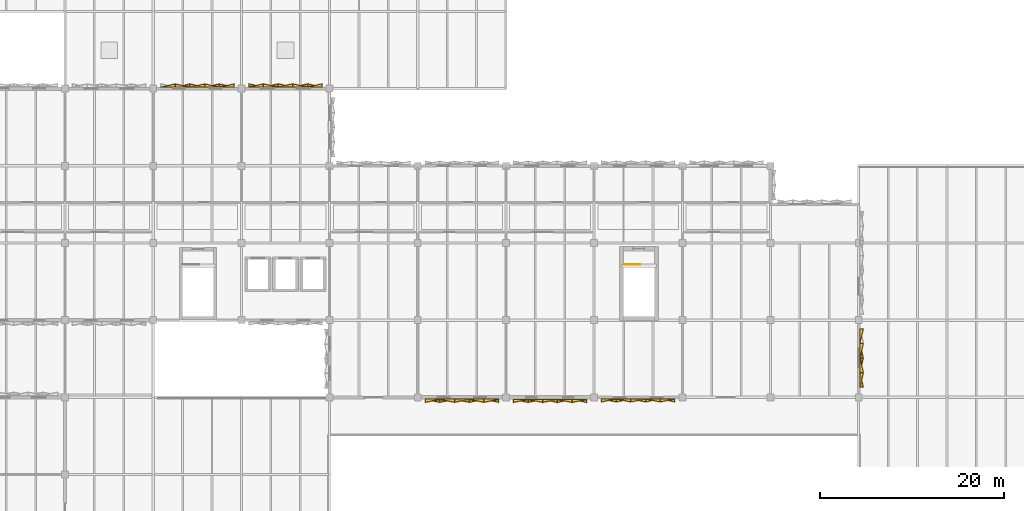
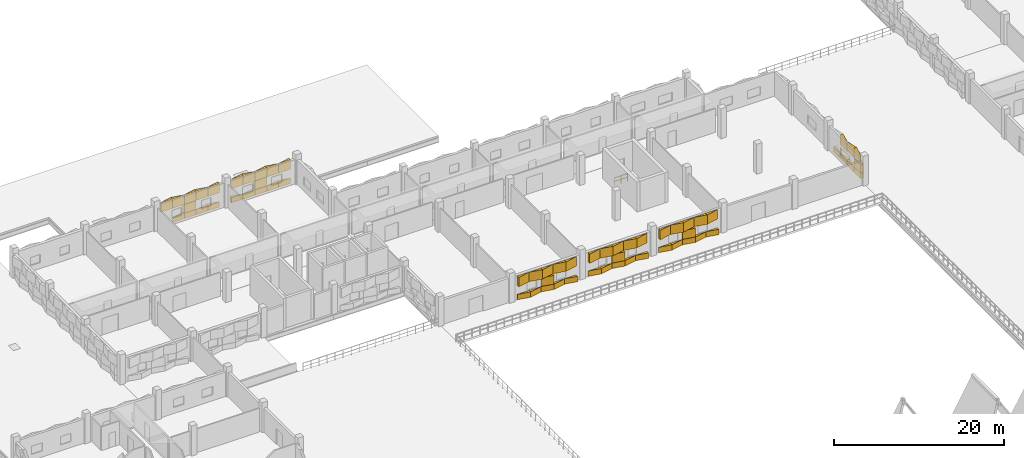
# One storey, part 75 of 86: 62 coverings, 1 railing.
"""IFC4 building model written with IfcOpenShell, lengths in metres."""

from ifc_helpers import new_model, si_unit, direction, frame, origin, origin_2d, place, context, subcontext, project, spatial, polyline, circle, outline, extrude, material, type_object, element, save


model = new_model("IFC4")

# Units and contexts
model_context = context("Model", 3, precision=1e-05, world=origin(), true_north=direction((0.0, 1.0)))
body_context = subcontext(model_context, "Body", "Model", "MODEL_VIEW")
ifc_project = project(units=[si_unit("LENGTHUNIT", "METRE"), si_unit("AREAUNIT", "SQUARE_METRE"), si_unit("VOLUMEUNIT", "CUBIC_METRE"), si_unit("PLANEANGLEUNIT", "RADIAN"), si_unit("MASSUNIT", "GRAM", prefix="KILO")], contexts=[model_context])

# Site, building, storey
site_placement = place(None, origin())
site = spatial("IfcSite", under=ifc_project, at=site_placement, CompositionType="ELEMENT")
building_placement = place(site_placement, origin())
building = spatial("IfcBuilding", under=site, at=building_placement, Name="Oolite Switchyard Hospital", CompositionType="ELEMENT")
storey_placement = place(building_placement, frame((0.0, 0.0, 13.5)))
storey = spatial("IfcBuildingStorey", under=building, at=storey_placement, Name="L03", CompositionType="ELEMENT", Elevation=13.5)

# Coverings
ifc_material_1 = material(Name="Precast oolitic limestone architectural concrete C40/50", Category="masonry")
covering_type_1 = type_object("IfcCoveringType", Name="COV-CHEV-COOL", PredefinedType="CLADDING", material=ifc_material_1)
covering_1_placement = place(storey_placement, frame((115.330078125, 91.47998046875, 0.050048828125), z_axis=(0.0, 0.0, 1.0), x_axis=(0.0, -1.0, 0.0)))
element("IfcCovering", 1, at=covering_1_placement, inside=storey, type_object=covering_type_1, Name="L03 Chevron Precast Oolite Panel 435", PredefinedType="CLADDING", context=body_context, shape_type="SweptSolid", body=[
    extrude(outline(polyline([(0.0, 0.0), (1.60009765625, 0.0), (1.60009765625, 0.044921875), (0.0, 0.385009765625), (0.0, 0.0)])), origin(), (0.0, 0.0, 1.0), 0.760009765625),
])
covering_2_placement = place(storey_placement, frame((115.330078125, 89.8798828125, 0.050048828125), z_axis=(0.0, 0.0, 1.0), x_axis=(0.0, -1.0, 0.0)))
element("IfcCovering", 2, at=covering_2_placement, inside=storey, type_object=covering_type_1, Name="L03 Chevron Precast Oolite Panel 438", PredefinedType="CLADDING", context=body_context, shape_type="SweptSolid", body=[
    extrude(outline(polyline([(0.0, 0.0), (1.599853515625, 0.0), (1.599853515625, 0.385009765625), (0.0, 0.044921875), (0.0, 0.0)])), origin(), (0.0, 0.0, 1.0), 0.760009765625),
])
covering_3_placement = place(storey_placement, frame((115.330078125, 89.8798828125, 2.090087890625), z_axis=(0.0, 0.0, 1.0), x_axis=(0.0, -1.0, 0.0)))
element("IfcCovering", 3, at=covering_3_placement, inside=storey, type_object=covering_type_1, Name="L03 Chevron Precast Oolite Panel 439", PredefinedType="CLADDING", context=body_context, shape_type="SweptSolid", body=[
    extrude(outline(polyline([(0.0, 0.0), (1.599853515625, 0.0), (1.599853515625, 0.044921875), (0.0, 0.385009765625), (0.0, 0.0)])), origin(), (0.0, 0.0, 1.0), 1.349853515625),
])
covering_4_placement = place(storey_placement, frame((115.330078125, 88.280029296875, 0.050048828125), z_axis=(0.0, 0.0, 1.0), x_axis=(0.0, -1.0, 0.0)))
element("IfcCovering", 4, at=covering_4_placement, inside=storey, type_object=covering_type_1, Name="L03 Chevron Precast Oolite Panel 440", PredefinedType="CLADDING", context=body_context, shape_type="SweptSolid", body=[
    extrude(outline(polyline([(0.0, 0.0), (1.60009765625, 0.0), (1.60009765625, 0.044921875), (0.0, 0.385009765625), (0.0, 0.0)])), origin(), (0.0, 0.0, 1.0), 0.760009765625),
])
covering_5_placement = place(storey_placement, frame((115.330078125, 88.280029296875, 2.090087890625), z_axis=(0.0, 0.0, 1.0), x_axis=(0.0, -1.0, 0.0)))
element("IfcCovering", 5, at=covering_5_placement, inside=storey, type_object=covering_type_1, Name="L03 Chevron Precast Oolite Panel 441", PredefinedType="CLADDING", context=body_context, shape_type="SweptSolid", body=[
    extrude(outline(polyline([(0.0, 0.0), (1.60009765625, 0.0), (1.60009765625, 0.385009765625), (0.0, 0.044921875), (0.0, 0.0)])), origin(), (0.0, 0.0, 1.0), 1.349853515625),
])
covering_6_placement = place(storey_placement, frame((115.330078125, 86.679931640625, 0.050048828125), z_axis=(0.0, 0.0, 1.0), x_axis=(0.0, -1.0, 0.0)))
element("IfcCovering", 6, at=covering_6_placement, inside=storey, type_object=covering_type_1, Name="L03 Chevron Precast Oolite Panel 442", PredefinedType="CLADDING", context=body_context, shape_type="SweptSolid", body=[
    extrude(outline(polyline([(0.0, 0.0), (1.599853515625, 0.0), (1.599853515625, 0.385009765625), (0.0, 0.044921875), (0.0, 0.0)])), origin(), (0.0, 0.0, 1.0), 0.760009765625),
])
covering_7_placement = place(storey_placement, frame((115.330078125, 86.679931640625, 2.090087890625), z_axis=(0.0, 0.0, 1.0), x_axis=(0.0, -1.0, 0.0)))
element("IfcCovering", 7, at=covering_7_placement, inside=storey, type_object=covering_type_1, Name="L03 Chevron Precast Oolite Panel 443", PredefinedType="CLADDING", context=body_context, shape_type="SweptSolid", body=[
    extrude(outline(polyline([(0.0, 0.0), (1.599853515625, 0.0), (1.599853515625, 0.044921875), (0.0, 0.385009765625), (0.0, 0.0)])), origin(), (0.0, 0.0, 1.0), 1.349853515625),
])
covering_8_placement = place(storey_placement, frame((115.330078125, 86.679931640625, 0.830078125), z_axis=(0.0, 0.0, 1.0), x_axis=(0.0, -1.0, 0.0)))
element("IfcCovering", 8, at=covering_8_placement, inside=storey, type_object=covering_type_1, Name="L03 Chevron Precast Oolite Panel 444", PredefinedType="CLADDING", context=body_context, shape_type="SweptSolid", body=[
    extrude(outline(polyline([(0.0, 0.0), (1.599853515625, 0.0), (1.599853515625, 0.385009765625), (0.0, 0.044921875), (0.0, 0.0)])), origin(), (0.0, 0.0, 1.0), 1.239990234375),
])
covering_type_2 = type_object("IfcCoveringType", Name="COV-CHEV-WARM", PredefinedType="CLADDING", material=ifc_material_1)
covering_9_placement = place(storey_placement, frame((76.0, 83.820068359375, 0.050048828125), z_axis=(0.0, 0.0, 1.0), x_axis=(-1.0, 0.0, 0.0)))
element("IfcCovering", 9, at=covering_9_placement, inside=storey, type_object=covering_type_2, Name="L03 Chevron Precast Oolite Panel 34", PredefinedType="CLADDING", context=body_context, shape_type="SweptSolid", body=[
    extrude(outline(polyline([(0.0, 0.0), (1.60009765625, 0.0), (1.60009765625, 0.044921875), (0.0, 0.385009765625), (0.0, 0.0)])), origin(), (0.0, 0.0, 1.0), 0.760009765625),
])
covering_10_placement = place(storey_placement, frame((76.0, 83.820068359375, 2.090087890625), z_axis=(0.0, 0.0, 1.0), x_axis=(-1.0, 0.0, 0.0)))
element("IfcCovering", 10, at=covering_10_placement, inside=storey, type_object=covering_type_2, Name="L03 Chevron Precast Oolite Panel 35", PredefinedType="CLADDING", context=body_context, shape_type="SweptSolid", body=[
    extrude(outline(polyline([(0.0, 0.0), (1.60009765625, 0.0), (1.60009765625, 0.385009765625), (0.0, 0.044921875), (0.0, 0.0)])), origin(), (0.0, 0.0, 1.0), 1.349853515625),
])
covering_11_placement = place(storey_placement, frame((74.39990234375, 83.820068359375, 0.050048828125), z_axis=(0.0, 0.0, 1.0), x_axis=(-1.0, 0.0, 0.0)))
element("IfcCovering", 11, at=covering_11_placement, inside=storey, type_object=covering_type_2, Name="L03 Chevron Precast Oolite Panel 36", PredefinedType="CLADDING", context=body_context, shape_type="SweptSolid", body=[
    extrude(outline(polyline([(0.0, 0.0), (1.599853515625, 0.0), (1.599853515625, 0.385009765625), (0.0, 0.044921875), (0.0, 0.0)])), origin(), (0.0, 0.0, 1.0), 0.760009765625),
])
covering_12_placement = place(storey_placement, frame((74.39990234375, 83.820068359375, 2.090087890625), z_axis=(0.0, 0.0, 1.0), x_axis=(-1.0, 0.0, 0.0)))
element("IfcCovering", 12, at=covering_12_placement, inside=storey, type_object=covering_type_2, Name="L03 Chevron Precast Oolite Panel 37", PredefinedType="CLADDING", context=body_context, shape_type="SweptSolid", body=[
    extrude(outline(polyline([(0.0, 0.0), (1.599853515625, 0.0), (1.599853515625, 0.044921875), (0.0, 0.385009765625), (0.0, 0.0)])), origin(), (0.0, 0.0, 1.0), 1.349853515625),
])
covering_13_placement = place(storey_placement, frame((72.800048828125, 83.820068359375, 0.050048828125), z_axis=(0.0, 0.0, 1.0), x_axis=(-1.0, 0.0, 0.0)))
element("IfcCovering", 13, at=covering_13_placement, inside=storey, type_object=covering_type_2, Name="L03 Chevron Precast Oolite Panel 38", PredefinedType="CLADDING", context=body_context, shape_type="SweptSolid", body=[
    extrude(outline(polyline([(0.0, 0.0), (1.60009765625, 0.0), (1.60009765625, 0.044921875), (0.0, 0.385009765625), (0.0, 0.0)])), origin(), (0.0, 0.0, 1.0), 0.760009765625),
])
covering_14_placement = place(storey_placement, frame((72.800048828125, 83.820068359375, 2.090087890625), z_axis=(0.0, 0.0, 1.0), x_axis=(-1.0, 0.0, 0.0)))
element("IfcCovering", 14, at=covering_14_placement, inside=storey, type_object=covering_type_2, Name="L03 Chevron Precast Oolite Panel 39", PredefinedType="CLADDING", context=body_context, shape_type="SweptSolid", body=[
    extrude(outline(polyline([(0.0, 0.0), (1.60009765625, 0.0), (1.60009765625, 0.385009765625), (0.0, 0.044921875), (0.0, 0.0)])), origin(), (0.0, 0.0, 1.0), 1.349853515625),
])
covering_15_placement = place(storey_placement, frame((72.800048828125, 83.820068359375, 0.830078125), z_axis=(0.0, 0.0, 1.0), x_axis=(-1.0, 0.0, 0.0)))
element("IfcCovering", 15, at=covering_15_placement, inside=storey, type_object=covering_type_2, Name="L03 Chevron Precast Oolite Panel 40", PredefinedType="CLADDING", context=body_context, shape_type="SweptSolid", body=[
    extrude(outline(polyline([(0.0, 0.0), (1.60009765625, 0.0), (1.60009765625, 0.044921875), (0.0, 0.385009765625), (0.0, 0.0)])), origin(), (0.0, 0.0, 1.0), 1.239990234375),
])
covering_16_placement = place(storey_placement, frame((71.199951171875, 83.820068359375, 0.050048828125), z_axis=(0.0, 0.0, 1.0), x_axis=(-1.0, 0.0, 0.0)))
element("IfcCovering", 16, at=covering_16_placement, inside=storey, type_object=covering_type_2, Name="L03 Chevron Precast Oolite Panel 41", PredefinedType="CLADDING", context=body_context, shape_type="SweptSolid", body=[
    extrude(outline(polyline([(0.0, 0.0), (1.599853515625, 0.0), (1.599853515625, 0.385009765625), (0.0, 0.044921875), (0.0, 0.0)])), origin(), (0.0, 0.0, 1.0), 0.760009765625),
])
covering_17_placement = place(storey_placement, frame((71.199951171875, 83.820068359375, 2.090087890625), z_axis=(0.0, 0.0, 1.0), x_axis=(-1.0, 0.0, 0.0)))
element("IfcCovering", 17, at=covering_17_placement, inside=storey, type_object=covering_type_2, Name="L03 Chevron Precast Oolite Panel 42", PredefinedType="CLADDING", context=body_context, shape_type="SweptSolid", body=[
    extrude(outline(polyline([(0.0, 0.0), (1.599853515625, 0.0), (1.599853515625, 0.044921875), (0.0, 0.385009765625), (0.0, 0.0)])), origin(), (0.0, 0.0, 1.0), 1.349853515625),
])
covering_18_placement = place(storey_placement, frame((69.60009765625, 83.820068359375, 0.050048828125), z_axis=(0.0, 0.0, 1.0), x_axis=(-1.0, 0.0, 0.0)))
element("IfcCovering", 18, at=covering_18_placement, inside=storey, type_object=covering_type_2, Name="L03 Chevron Precast Oolite Panel 43", PredefinedType="CLADDING", context=body_context, shape_type="SweptSolid", body=[
    extrude(outline(polyline([(0.0, 0.0), (1.60009765625, 0.0), (1.60009765625, 0.044921875), (0.0, 0.385009765625), (0.0, 0.0)])), origin(), (0.0, 0.0, 1.0), 0.760009765625),
])
covering_19_placement = place(storey_placement, frame((69.60009765625, 83.820068359375, 2.090087890625), z_axis=(0.0, 0.0, 1.0), x_axis=(-1.0, 0.0, 0.0)))
element("IfcCovering", 19, at=covering_19_placement, inside=storey, type_object=covering_type_2, Name="L03 Chevron Precast Oolite Panel 44", PredefinedType="CLADDING", context=body_context, shape_type="SweptSolid", body=[
    extrude(outline(polyline([(0.0, 0.0), (1.60009765625, 0.0), (1.60009765625, 0.385009765625), (0.0, 0.044921875), (0.0, 0.0)])), origin(), (0.0, 0.0, 1.0), 1.349853515625),
])
covering_20_placement = place(storey_placement, frame((85.60009765625, 83.81005859375, 0.050048828125), z_axis=(0.0, 0.0, 1.0), x_axis=(-1.0, 0.0, 0.0)))
element("IfcCovering", 20, at=covering_20_placement, inside=storey, type_object=covering_type_2, Name="L03 Chevron Precast Oolite Panel 45", PredefinedType="CLADDING", context=body_context, shape_type="SweptSolid", body=[
    extrude(outline(polyline([(0.0, 0.0), (1.60009765625, 0.0), (1.60009765625, 0.044921875), (0.0, 0.385009765625), (0.0, 0.0)])), origin(), (0.0, 0.0, 1.0), 0.760009765625),
])
covering_21_placement = place(storey_placement, frame((85.60009765625, 83.81005859375, 2.090087890625), z_axis=(0.0, 0.0, 1.0), x_axis=(-1.0, 0.0, 0.0)))
element("IfcCovering", 21, at=covering_21_placement, inside=storey, type_object=covering_type_2, Name="L03 Chevron Precast Oolite Panel 46", PredefinedType="CLADDING", context=body_context, shape_type="SweptSolid", body=[
    extrude(outline(polyline([(0.0, 0.0), (1.60009765625, 0.0), (1.60009765625, 0.385009765625), (0.0, 0.044921875), (0.0, 0.0)])), origin(), (0.0, 0.0, 1.0), 1.349853515625),
])
covering_22_placement = place(storey_placement, frame((84.0, 83.81005859375, 0.050048828125), z_axis=(0.0, 0.0, 1.0), x_axis=(-1.0, 0.0, 0.0)))
element("IfcCovering", 22, at=covering_22_placement, inside=storey, type_object=covering_type_2, Name="L03 Chevron Precast Oolite Panel 47", PredefinedType="CLADDING", context=body_context, shape_type="SweptSolid", body=[
    extrude(outline(polyline([(0.0, 0.0), (1.60009765625, 0.0), (1.60009765625, 0.385009765625), (0.0, 0.044921875), (0.0, 0.0)])), origin(), (0.0, 0.0, 1.0), 0.760009765625),
])
covering_23_placement = place(storey_placement, frame((84.0, 83.81005859375, 2.090087890625), z_axis=(0.0, 0.0, 1.0), x_axis=(-1.0, 0.0, 0.0)))
element("IfcCovering", 23, at=covering_23_placement, inside=storey, type_object=covering_type_2, Name="L03 Chevron Precast Oolite Panel 48", PredefinedType="CLADDING", context=body_context, shape_type="SweptSolid", body=[
    extrude(outline(polyline([(0.0, 0.0), (1.60009765625, 0.0), (1.60009765625, 0.044921875), (0.0, 0.385009765625), (0.0, 0.0)])), origin(), (0.0, 0.0, 1.0), 1.349853515625),
])
covering_24_placement = place(storey_placement, frame((82.39990234375, 83.81005859375, 0.050048828125), z_axis=(0.0, 0.0, 1.0), x_axis=(-1.0, 0.0, 0.0)))
element("IfcCovering", 24, at=covering_24_placement, inside=storey, type_object=covering_type_2, Name="L03 Chevron Precast Oolite Panel 49", PredefinedType="CLADDING", context=body_context, shape_type="SweptSolid", body=[
    extrude(outline(polyline([(0.0, 0.0), (1.599853515625, 0.0), (1.599853515625, 0.044921875), (0.0, 0.385009765625), (0.0, 0.0)])), origin(), (0.0, 0.0, 1.0), 0.760009765625),
])
covering_25_placement = place(storey_placement, frame((82.39990234375, 83.81005859375, 2.090087890625), z_axis=(0.0, 0.0, 1.0), x_axis=(-1.0, 0.0, 0.0)))
element("IfcCovering", 25, at=covering_25_placement, inside=storey, type_object=covering_type_2, Name="L03 Chevron Precast Oolite Panel 50", PredefinedType="CLADDING", context=body_context, shape_type="SweptSolid", body=[
    extrude(outline(polyline([(0.0, 0.0), (1.599853515625, 0.0), (1.599853515625, 0.385009765625), (0.0, 0.044921875), (0.0, 0.0)])), origin(), (0.0, 0.0, 1.0), 1.349853515625),
])
covering_26_placement = place(storey_placement, frame((82.39990234375, 83.81005859375, 0.830078125), z_axis=(0.0, 0.0, 1.0), x_axis=(-1.0, 0.0, 0.0)))
element("IfcCovering", 26, at=covering_26_placement, inside=storey, type_object=covering_type_2, Name="L03 Chevron Precast Oolite Panel 51", PredefinedType="CLADDING", context=body_context, shape_type="SweptSolid", body=[
    extrude(outline(polyline([(0.0, 0.0), (1.599853515625, 0.0), (1.599853515625, 0.044921875), (0.0, 0.385009765625), (0.0, 0.0)])), origin(), (0.0, 0.0, 1.0), 1.239990234375),
])
covering_27_placement = place(storey_placement, frame((80.800048828125, 83.81005859375, 0.050048828125), z_axis=(0.0, 0.0, 1.0), x_axis=(-1.0, 0.0, 0.0)))
element("IfcCovering", 27, at=covering_27_placement, inside=storey, type_object=covering_type_2, Name="L03 Chevron Precast Oolite Panel 52", PredefinedType="CLADDING", context=body_context, shape_type="SweptSolid", body=[
    extrude(outline(polyline([(0.0, 0.0), (1.60009765625, 0.0), (1.60009765625, 0.385009765625), (0.0, 0.044921875), (0.0, 0.0)])), origin(), (0.0, 0.0, 1.0), 0.760009765625),
])
covering_28_placement = place(storey_placement, frame((80.800048828125, 83.81005859375, 2.090087890625), z_axis=(0.0, 0.0, 1.0), x_axis=(-1.0, 0.0, 0.0)))
element("IfcCovering", 28, at=covering_28_placement, inside=storey, type_object=covering_type_2, Name="L03 Chevron Precast Oolite Panel 53", PredefinedType="CLADDING", context=body_context, shape_type="SweptSolid", body=[
    extrude(outline(polyline([(0.0, 0.0), (1.60009765625, 0.0), (1.60009765625, 0.044921875), (0.0, 0.385009765625), (0.0, 0.0)])), origin(), (0.0, 0.0, 1.0), 1.349853515625),
])
covering_29_placement = place(storey_placement, frame((79.199951171875, 83.81005859375, 0.050048828125), z_axis=(0.0, 0.0, 1.0), x_axis=(-1.0, 0.0, 0.0)))
element("IfcCovering", 29, at=covering_29_placement, inside=storey, type_object=covering_type_2, Name="L03 Chevron Precast Oolite Panel 54", PredefinedType="CLADDING", context=body_context, shape_type="SweptSolid", body=[
    extrude(outline(polyline([(0.0, 0.0), (1.599853515625, 0.0), (1.599853515625, 0.044921875), (0.0, 0.385009765625), (0.0, 0.0)])), origin(), (0.0, 0.0, 1.0), 0.760009765625),
])
covering_30_placement = place(storey_placement, frame((79.199951171875, 83.81005859375, 2.090087890625), z_axis=(0.0, 0.0, 1.0), x_axis=(-1.0, 0.0, 0.0)))
element("IfcCovering", 30, at=covering_30_placement, inside=storey, type_object=covering_type_2, Name="L03 Chevron Precast Oolite Panel 55", PredefinedType="CLADDING", context=body_context, shape_type="SweptSolid", body=[
    extrude(outline(polyline([(0.0, 0.0), (1.599853515625, 0.0), (1.599853515625, 0.385009765625), (0.0, 0.044921875), (0.0, 0.0)])), origin(), (0.0, 0.0, 1.0), 1.349853515625),
])
covering_31_placement = place(storey_placement, frame((95.199951171875, 83.8701171875, 0.050048828125), z_axis=(0.0, 0.0, 1.0), x_axis=(-1.0, 0.0, 0.0)))
element("IfcCovering", 31, at=covering_31_placement, inside=storey, type_object=covering_type_2, Name="L03 Chevron Precast Oolite Panel 56", PredefinedType="CLADDING", context=body_context, shape_type="SweptSolid", body=[
    extrude(outline(polyline([(0.0, 0.0), (1.599853515625, 0.0), (1.599853515625, 0.044921875), (0.0, 0.385009765625), (0.0, 0.0)])), origin(), (0.0, 0.0, 1.0), 0.760009765625),
])
covering_32_placement = place(storey_placement, frame((95.199951171875, 83.8701171875, 2.090087890625), z_axis=(0.0, 0.0, 1.0), x_axis=(-1.0, 0.0, 0.0)))
element("IfcCovering", 32, at=covering_32_placement, inside=storey, type_object=covering_type_2, Name="L03 Chevron Precast Oolite Panel 57", PredefinedType="CLADDING", context=body_context, shape_type="SweptSolid", body=[
    extrude(outline(polyline([(0.0, 0.0), (1.599853515625, 0.0), (1.599853515625, 0.385009765625), (0.0, 0.044921875), (0.0, 0.0)])), origin(), (0.0, 0.0, 1.0), 1.349853515625),
])
covering_33_placement = place(storey_placement, frame((93.60009765625, 83.8701171875, 0.050048828125), z_axis=(0.0, 0.0, 1.0), x_axis=(-1.0, 0.0, 0.0)))
element("IfcCovering", 33, at=covering_33_placement, inside=storey, type_object=covering_type_2, Name="L03 Chevron Precast Oolite Panel 58", PredefinedType="CLADDING", context=body_context, shape_type="SweptSolid", body=[
    extrude(outline(polyline([(0.0, 0.0), (1.60009765625, 0.0), (1.60009765625, 0.385009765625), (0.0, 0.044921875), (0.0, 0.0)])), origin(), (0.0, 0.0, 1.0), 0.760009765625),
])
covering_34_placement = place(storey_placement, frame((93.60009765625, 83.8701171875, 2.090087890625), z_axis=(0.0, 0.0, 1.0), x_axis=(-1.0, 0.0, 0.0)))
element("IfcCovering", 34, at=covering_34_placement, inside=storey, type_object=covering_type_2, Name="L03 Chevron Precast Oolite Panel 59", PredefinedType="CLADDING", context=body_context, shape_type="SweptSolid", body=[
    extrude(outline(polyline([(0.0, 0.0), (1.60009765625, 0.0), (1.60009765625, 0.044921875), (0.0, 0.385009765625), (0.0, 0.0)])), origin(), (0.0, 0.0, 1.0), 1.349853515625),
])
covering_35_placement = place(storey_placement, frame((92.0, 83.8701171875, 0.050048828125), z_axis=(0.0, 0.0, 1.0), x_axis=(-1.0, 0.0, 0.0)))
element("IfcCovering", 35, at=covering_35_placement, inside=storey, type_object=covering_type_2, Name="L03 Chevron Precast Oolite Panel 60", PredefinedType="CLADDING", context=body_context, shape_type="SweptSolid", body=[
    extrude(outline(polyline([(0.0, 0.0), (1.60009765625, 0.0), (1.60009765625, 0.044921875), (0.0, 0.385009765625), (0.0, 0.0)])), origin(), (0.0, 0.0, 1.0), 0.760009765625),
])
covering_36_placement = place(storey_placement, frame((92.0, 83.8701171875, 2.090087890625), z_axis=(0.0, 0.0, 1.0), x_axis=(-1.0, 0.0, 0.0)))
element("IfcCovering", 36, at=covering_36_placement, inside=storey, type_object=covering_type_2, Name="L03 Chevron Precast Oolite Panel 61", PredefinedType="CLADDING", context=body_context, shape_type="SweptSolid", body=[
    extrude(outline(polyline([(0.0, 0.0), (1.60009765625, 0.0), (1.60009765625, 0.385009765625), (0.0, 0.044921875), (0.0, 0.0)])), origin(), (0.0, 0.0, 1.0), 1.349853515625),
])
covering_37_placement = place(storey_placement, frame((92.0, 83.8701171875, 0.830078125), z_axis=(0.0, 0.0, 1.0), x_axis=(-1.0, 0.0, 0.0)))
element("IfcCovering", 37, at=covering_37_placement, inside=storey, type_object=covering_type_2, Name="L03 Chevron Precast Oolite Panel 62", PredefinedType="CLADDING", context=body_context, shape_type="SweptSolid", body=[
    extrude(outline(polyline([(0.0, 0.0), (1.60009765625, 0.0), (1.60009765625, 0.044921875), (0.0, 0.385009765625), (0.0, 0.0)])), origin(), (0.0, 0.0, 1.0), 1.239990234375),
])
covering_38_placement = place(storey_placement, frame((90.39990234375, 83.8701171875, 0.050048828125), z_axis=(0.0, 0.0, 1.0), x_axis=(-1.0, 0.0, 0.0)))
element("IfcCovering", 38, at=covering_38_placement, inside=storey, type_object=covering_type_2, Name="L03 Chevron Precast Oolite Panel 63", PredefinedType="CLADDING", context=body_context, shape_type="SweptSolid", body=[
    extrude(outline(polyline([(0.0, 0.0), (1.599853515625, 0.0), (1.599853515625, 0.385009765625), (0.0, 0.044921875), (0.0, 0.0)])), origin(), (0.0, 0.0, 1.0), 0.760009765625),
])
covering_39_placement = place(storey_placement, frame((90.39990234375, 83.8701171875, 2.090087890625), z_axis=(0.0, 0.0, 1.0), x_axis=(-1.0, 0.0, 0.0)))
element("IfcCovering", 39, at=covering_39_placement, inside=storey, type_object=covering_type_2, Name="L03 Chevron Precast Oolite Panel 64", PredefinedType="CLADDING", context=body_context, shape_type="SweptSolid", body=[
    extrude(outline(polyline([(0.0, 0.0), (1.599853515625, 0.0), (1.599853515625, 0.044921875), (0.0, 0.385009765625), (0.0, 0.0)])), origin(), (0.0, 0.0, 1.0), 1.349853515625),
])
covering_40_placement = place(storey_placement, frame((88.800048828125, 83.8701171875, 0.050048828125), z_axis=(0.0, 0.0, 1.0), x_axis=(-1.0, 0.0, 0.0)))
element("IfcCovering", 40, at=covering_40_placement, inside=storey, type_object=covering_type_2, Name="L03 Chevron Precast Oolite Panel 65", PredefinedType="CLADDING", context=body_context, shape_type="SweptSolid", body=[
    extrude(outline(polyline([(0.0, 0.0), (1.60009765625, 0.0), (1.60009765625, 0.044921875), (0.0, 0.385009765625), (0.0, 0.0)])), origin(), (0.0, 0.0, 1.0), 0.760009765625),
])
for number, where, z_axis, x_axis, name in (
    (41, (88.800048828125, 83.8701171875, 2.090087890625), (0.0, 0.0, 1.0), (-1.0, 0.0, 0.0), "L03 Chevron Precast Oolite Panel 66"),
    (42, (39.199951171875, 117.739990234375, 2.090087890625), (0.0, 0.0, 1.0), (1.0, 0.0, 0.0), "L03 Chevron Precast Oolite Panel 266"),
):
    element("IfcCovering", number, at=place(storey_placement, frame(where, z_axis=z_axis, x_axis=x_axis)), inside=storey, type_object=covering_type_2, Name=name, PredefinedType="CLADDING", context=body_context, shape_type="SweptSolid", body=[
        extrude(outline(polyline([(0.0, 0.0), (1.60009765625, 0.0), (1.60009765625, 0.385009765625), (0.0, 0.044921875), (0.0, 0.0)])), origin(), (0.0, 0.0, 1.0), 1.349853515625),
    ])
covering_41_placement = place(storey_placement, frame((40.800048828125, 117.739990234375, 0.050048828125), z_axis=(0.0, 0.0, 1.0), x_axis=(1.0, 0.0, 0.0)))
element("IfcCovering", 43, at=covering_41_placement, inside=storey, type_object=covering_type_2, Name="L03 Chevron Precast Oolite Panel 267", PredefinedType="CLADDING", context=body_context, shape_type="SweptSolid", body=[
    extrude(outline(polyline([(0.0, 0.0), (1.599853515625, 0.0), (1.599853515625, 0.385009765625), (0.0, 0.044921875), (0.0, 0.0)])), origin(), (0.0, 0.0, 1.0), 0.760009765625),
])
covering_42_placement = place(storey_placement, frame((40.800048828125, 117.739990234375, 2.090087890625), z_axis=(0.0, 0.0, 1.0), x_axis=(1.0, 0.0, 0.0)))
element("IfcCovering", 44, at=covering_42_placement, inside=storey, type_object=covering_type_2, Name="L03 Chevron Precast Oolite Panel 268", PredefinedType="CLADDING", context=body_context, shape_type="SweptSolid", body=[
    extrude(outline(polyline([(0.0, 0.0), (1.599853515625, 0.0), (1.599853515625, 0.044921875), (0.0, 0.385009765625), (0.0, 0.0)])), origin(), (0.0, 0.0, 1.0), 1.349853515625),
])
covering_43_placement = place(storey_placement, frame((42.39990234375, 117.739990234375, 0.050048828125), z_axis=(0.0, 0.0, 1.0), x_axis=(1.0, 0.0, 0.0)))
element("IfcCovering", 45, at=covering_43_placement, inside=storey, type_object=covering_type_2, Name="L03 Chevron Precast Oolite Panel 269", PredefinedType="CLADDING", context=body_context, shape_type="SweptSolid", body=[
    extrude(outline(polyline([(0.0, 0.0), (1.60009765625, 0.0), (1.60009765625, 0.044921875), (0.0, 0.385009765625), (0.0, 0.0)])), origin(), (0.0, 0.0, 1.0), 0.760009765625),
])
covering_44_placement = place(storey_placement, frame((42.39990234375, 117.739990234375, 2.090087890625), z_axis=(0.0, 0.0, 1.0), x_axis=(1.0, 0.0, 0.0)))
element("IfcCovering", 46, at=covering_44_placement, inside=storey, type_object=covering_type_2, Name="L03 Chevron Precast Oolite Panel 270", PredefinedType="CLADDING", context=body_context, shape_type="SweptSolid", body=[
    extrude(outline(polyline([(0.0, 0.0), (1.60009765625, 0.0), (1.60009765625, 0.385009765625), (0.0, 0.044921875), (0.0, 0.0)])), origin(), (0.0, 0.0, 1.0), 1.349853515625),
])
covering_45_placement = place(storey_placement, frame((42.39990234375, 117.739990234375, 0.830078125), z_axis=(0.0, 0.0, 1.0), x_axis=(1.0, 0.0, 0.0)))
element("IfcCovering", 47, at=covering_45_placement, inside=storey, type_object=covering_type_2, Name="L03 Chevron Precast Oolite Panel 271", PredefinedType="CLADDING", context=body_context, shape_type="SweptSolid", body=[
    extrude(outline(polyline([(0.0, 0.0), (1.60009765625, 0.0), (1.60009765625, 0.044921875), (0.0, 0.385009765625), (0.0, 0.0)])), origin(), (0.0, 0.0, 1.0), 1.239990234375),
])
covering_46_placement = place(storey_placement, frame((44.0, 117.739990234375, 0.050048828125), z_axis=(0.0, 0.0, 1.0), x_axis=(1.0, 0.0, 0.0)))
element("IfcCovering", 48, at=covering_46_placement, inside=storey, type_object=covering_type_2, Name="L03 Chevron Precast Oolite Panel 272", PredefinedType="CLADDING", context=body_context, shape_type="SweptSolid", body=[
    extrude(outline(polyline([(0.0, 0.0), (1.60009765625, 0.0), (1.60009765625, 0.385009765625), (0.0, 0.044921875), (0.0, 0.0)])), origin(), (0.0, 0.0, 1.0), 0.760009765625),
])
covering_47_placement = place(storey_placement, frame((44.0, 117.739990234375, 2.090087890625), z_axis=(0.0, 0.0, 1.0), x_axis=(1.0, 0.0, 0.0)))
element("IfcCovering", 49, at=covering_47_placement, inside=storey, type_object=covering_type_2, Name="L03 Chevron Precast Oolite Panel 273", PredefinedType="CLADDING", context=body_context, shape_type="SweptSolid", body=[
    extrude(outline(polyline([(0.0, 0.0), (1.60009765625, 0.0), (1.60009765625, 0.044921875), (0.0, 0.385009765625), (0.0, 0.0)])), origin(), (0.0, 0.0, 1.0), 1.349853515625),
])
covering_48_placement = place(storey_placement, frame((45.60009765625, 117.739990234375, 0.050048828125), z_axis=(0.0, 0.0, 1.0), x_axis=(1.0, 0.0, 0.0)))
element("IfcCovering", 50, at=covering_48_placement, inside=storey, type_object=covering_type_2, Name="L03 Chevron Precast Oolite Panel 274", PredefinedType="CLADDING", context=body_context, shape_type="SweptSolid", body=[
    extrude(outline(polyline([(0.0, 0.0), (1.599853515625, 0.0), (1.599853515625, 0.044921875), (0.0, 0.385009765625), (0.0, 0.0)])), origin(), (0.0, 0.0, 1.0), 0.760009765625),
])
covering_49_placement = place(storey_placement, frame((45.60009765625, 117.739990234375, 2.090087890625), z_axis=(0.0, 0.0, 1.0), x_axis=(1.0, 0.0, 0.0)))
element("IfcCovering", 51, at=covering_49_placement, inside=storey, type_object=covering_type_2, Name="L03 Chevron Precast Oolite Panel 275", PredefinedType="CLADDING", context=body_context, shape_type="SweptSolid", body=[
    extrude(outline(polyline([(0.0, 0.0), (1.599853515625, 0.0), (1.599853515625, 0.385009765625), (0.0, 0.044921875), (0.0, 0.0)])), origin(), (0.0, 0.0, 1.0), 1.349853515625),
])
covering_50_placement = place(storey_placement, frame((48.800048828125, 117.75, 0.050048828125), z_axis=(0.0, 0.0, 1.0), x_axis=(1.0, 0.0, 0.0)))
element("IfcCovering", 52, at=covering_50_placement, inside=storey, type_object=covering_type_2, Name="L03 Chevron Precast Oolite Panel 276", PredefinedType="CLADDING", context=body_context, shape_type="SweptSolid", body=[
    extrude(outline(polyline([(0.0, 0.0), (1.599853515625, 0.0), (1.599853515625, 0.044921875), (0.0, 0.385009765625), (0.0, 0.0)])), origin(), (0.0, 0.0, 1.0), 0.760009765625),
])
covering_51_placement = place(storey_placement, frame((48.800048828125, 117.75, 2.090087890625), z_axis=(0.0, 0.0, 1.0), x_axis=(1.0, 0.0, 0.0)))
element("IfcCovering", 53, at=covering_51_placement, inside=storey, type_object=covering_type_2, Name="L03 Chevron Precast Oolite Panel 277", PredefinedType="CLADDING", context=body_context, shape_type="SweptSolid", body=[
    extrude(outline(polyline([(0.0, 0.0), (1.599853515625, 0.0), (1.599853515625, 0.385009765625), (0.0, 0.044921875), (0.0, 0.0)])), origin(), (0.0, 0.0, 1.0), 1.349853515625),
])
covering_52_placement = place(storey_placement, frame((50.39990234375, 117.75, 0.050048828125), z_axis=(0.0, 0.0, 1.0), x_axis=(1.0, 0.0, 0.0)))
element("IfcCovering", 54, at=covering_52_placement, inside=storey, type_object=covering_type_2, Name="L03 Chevron Precast Oolite Panel 278", PredefinedType="CLADDING", context=body_context, shape_type="SweptSolid", body=[
    extrude(outline(polyline([(0.0, 0.0), (1.60009765625, 0.0), (1.60009765625, 0.385009765625), (0.0, 0.044921875), (0.0, 0.0)])), origin(), (0.0, 0.0, 1.0), 0.760009765625),
])
covering_53_placement = place(storey_placement, frame((50.39990234375, 117.75, 2.090087890625), z_axis=(0.0, 0.0, 1.0), x_axis=(1.0, 0.0, 0.0)))
element("IfcCovering", 55, at=covering_53_placement, inside=storey, type_object=covering_type_2, Name="L03 Chevron Precast Oolite Panel 279", PredefinedType="CLADDING", context=body_context, shape_type="SweptSolid", body=[
    extrude(outline(polyline([(0.0, 0.0), (1.60009765625, 0.0), (1.60009765625, 0.044921875), (0.0, 0.385009765625), (0.0, 0.0)])), origin(), (0.0, 0.0, 1.0), 1.349853515625),
])
covering_54_placement = place(storey_placement, frame((52.0, 117.75, 0.050048828125), z_axis=(0.0, 0.0, 1.0), x_axis=(1.0, 0.0, 0.0)))
element("IfcCovering", 56, at=covering_54_placement, inside=storey, type_object=covering_type_2, Name="L03 Chevron Precast Oolite Panel 280", PredefinedType="CLADDING", context=body_context, shape_type="SweptSolid", body=[
    extrude(outline(polyline([(0.0, 0.0), (1.60009765625, 0.0), (1.60009765625, 0.044921875), (0.0, 0.385009765625), (0.0, 0.0)])), origin(), (0.0, 0.0, 1.0), 0.760009765625),
])
covering_55_placement = place(storey_placement, frame((52.0, 117.75, 2.090087890625), z_axis=(0.0, 0.0, 1.0), x_axis=(1.0, 0.0, 0.0)))
element("IfcCovering", 57, at=covering_55_placement, inside=storey, type_object=covering_type_2, Name="L03 Chevron Precast Oolite Panel 281", PredefinedType="CLADDING", context=body_context, shape_type="SweptSolid", body=[
    extrude(outline(polyline([(0.0, 0.0), (1.60009765625, 0.0), (1.60009765625, 0.385009765625), (0.0, 0.044921875), (0.0, 0.0)])), origin(), (0.0, 0.0, 1.0), 1.349853515625),
])
covering_56_placement = place(storey_placement, frame((52.0, 117.75, 0.830078125), z_axis=(0.0, 0.0, 1.0), x_axis=(1.0, 0.0, 0.0)))
element("IfcCovering", 58, at=covering_56_placement, inside=storey, type_object=covering_type_2, Name="L03 Chevron Precast Oolite Panel 282", PredefinedType="CLADDING", context=body_context, shape_type="SweptSolid", body=[
    extrude(outline(polyline([(0.0, 0.0), (1.60009765625, 0.0), (1.60009765625, 0.044921875), (0.0, 0.385009765625), (0.0, 0.0)])), origin(), (0.0, 0.0, 1.0), 1.239990234375),
])
covering_57_placement = place(storey_placement, frame((53.60009765625, 117.75, 0.050048828125), z_axis=(0.0, 0.0, 1.0), x_axis=(1.0, 0.0, 0.0)))
element("IfcCovering", 59, at=covering_57_placement, inside=storey, type_object=covering_type_2, Name="L03 Chevron Precast Oolite Panel 283", PredefinedType="CLADDING", context=body_context, shape_type="SweptSolid", body=[
    extrude(outline(polyline([(0.0, 0.0), (1.599853515625, 0.0), (1.599853515625, 0.385009765625), (0.0, 0.044921875), (0.0, 0.0)])), origin(), (0.0, 0.0, 1.0), 0.760009765625),
])
covering_58_placement = place(storey_placement, frame((53.60009765625, 117.75, 2.090087890625), z_axis=(0.0, 0.0, 1.0), x_axis=(1.0, 0.0, 0.0)))
element("IfcCovering", 60, at=covering_58_placement, inside=storey, type_object=covering_type_2, Name="L03 Chevron Precast Oolite Panel 284", PredefinedType="CLADDING", context=body_context, shape_type="SweptSolid", body=[
    extrude(outline(polyline([(0.0, 0.0), (1.599853515625, 0.0), (1.599853515625, 0.044921875), (0.0, 0.385009765625), (0.0, 0.0)])), origin(), (0.0, 0.0, 1.0), 1.349853515625),
])
covering_59_placement = place(storey_placement, frame((55.199951171875, 117.75, 0.050048828125), z_axis=(0.0, 0.0, 1.0), x_axis=(1.0, 0.0, 0.0)))
element("IfcCovering", 61, at=covering_59_placement, inside=storey, type_object=covering_type_2, Name="L03 Chevron Precast Oolite Panel 285", PredefinedType="CLADDING", context=body_context, shape_type="SweptSolid", body=[
    extrude(outline(polyline([(0.0, 0.0), (1.60009765625, 0.0), (1.60009765625, 0.044921875), (0.0, 0.385009765625), (0.0, 0.0)])), origin(), (0.0, 0.0, 1.0), 0.760009765625),
])
covering_60_placement = place(storey_placement, frame((55.199951171875, 117.75, 2.090087890625), z_axis=(0.0, 0.0, 1.0), x_axis=(1.0, 0.0, 0.0)))
element("IfcCovering", 62, at=covering_60_placement, inside=storey, type_object=covering_type_2, Name="L03 Chevron Precast Oolite Panel 286", PredefinedType="CLADDING", context=body_context, shape_type="SweptSolid", body=[
    extrude(outline(polyline([(0.0, 0.0), (1.60009765625, 0.0), (1.60009765625, 0.385009765625), (0.0, 0.044921875), (0.0, 0.0)])), origin(), (0.0, 0.0, 1.0), 1.349853515625),
])

# Railing
ifc_material_2 = material(Name="Galvanized painted architectural steel handrail", Category="steel")
railing_type = type_object("IfcRailingType", Name="RL-STAIR-GRD", PredefinedType="GUARDRAIL", material=ifc_material_2)
railing_placement = place(storey_placement, frame((89.60009765625, 98.43994140625, 0.0)))
element("IfcRailing", 63, at=railing_placement, inside=storey, type_object=railing_type, Name="L03 ST-09 top well guard 1", PredefinedType="GUARDRAIL", context=body_context, shape_type="SweptSolid", body=[
    extrude(circle(Radius=0.02392578125, at=origin_2d()), frame((0.0, 0.0, 1.076171875), z_axis=(1.0, 0.0, 0.0), x_axis=(0.0, 1.0, 0.0)), (0.0, 0.0, 1.0), 1.7998046875),
    extrude(circle(Radius=0.015625, at=origin_2d()), frame((0.0, 0.0, 0.550048828125), z_axis=(1.0, 0.0, 0.0), x_axis=(0.0, 1.0, 0.0)), (0.0, 0.0, 1.0), 1.7998046875),
    extrude(circle(Radius=0.02099609375, at=origin_2d()), origin(), (0.0, 0.0, 1.0), 1.052001953125),
    extrude(circle(Radius=0.02099609375, at=origin_2d()), frame((0.89990234375, 0.0, 0.0)), (0.0, 0.0, 1.0), 1.052001953125),
    extrude(circle(Radius=0.02099609375, at=origin_2d()), frame((1.7998046875, 0.0, 0.0)), (0.0, 0.0, 1.0), 1.052001953125),
])

save(model, "model.ifc")
